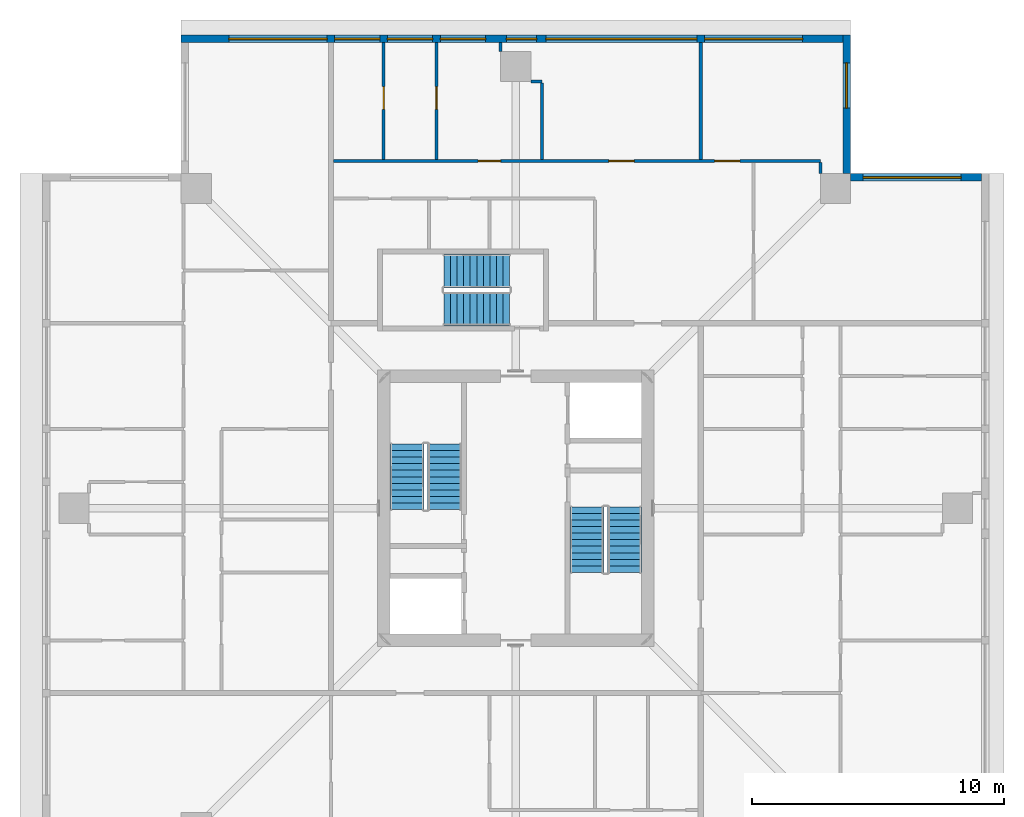
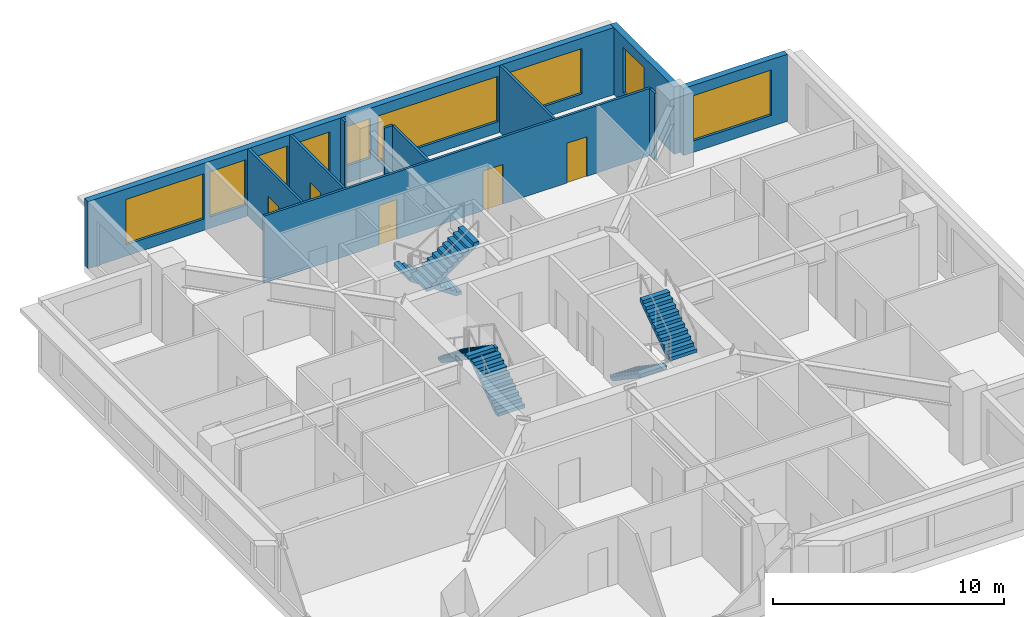
# One storey, part 8 of 11: 11 walls, 9 windows, 6 stair flights, 5 doors, 14 openings, 3 elements without a shape of their own.
"""IFC4 building model written with IfcOpenShell, lengths in metres."""

from ifc_helpers import new_model, si_unit, direction, frame, frame_2d, origin, place, context, subcontext, project, spatial, polyline, rectangle, outline, extrude, material, layer, layer_set, type_object, element, fill, aggregate, save


model = new_model("IFC4")

# Units and contexts
model_context = context("Model", 3, precision=1e-05, world=origin(), true_north=direction((0.0, 1.0)))
body_context = subcontext(model_context, "Body", "Model", "MODEL_VIEW")
ifc_project = project(units=[si_unit("LENGTHUNIT", "METRE"), si_unit("AREAUNIT", "SQUARE_METRE"), si_unit("VOLUMEUNIT", "CUBIC_METRE"), si_unit("PLANEANGLEUNIT", "RADIAN"), si_unit("MASSUNIT", "GRAM", prefix="KILO")], contexts=[model_context])

# Site, building, storey
site_placement = place(None, origin())
site = spatial("IfcSite", under=ifc_project, at=site_placement, CompositionType="ELEMENT")
building_placement = place(site_placement, origin())
building = spatial("IfcBuilding", under=site, at=building_placement, Name="Khepri Terraces", CompositionType="ELEMENT")
storey_placement = place(building_placement, frame((0.0, 0.0, 308.39990234375)))
storey = spatial("IfcBuildingStorey", under=building, at=storey_placement, Name="L74", CompositionType="ELEMENT", Elevation=308.39990234375)

# Wall, opening, window
ifc_material_1 = material(Name="Precast concrete C50/60 warm stone", Category="masonry")
ifc_layer_1 = layer(ifc_material_1, 0.300048828125, Name="Precast concrete C50/60 warm stone", Category="masonry")
ifc_layer_set_1 = layer_set([ifc_layer_1], Name="Precast concrete C50/60 warm stone")
wall_type_1 = type_object("IfcWallType", Name="WL-EXT-PRECAST-300", PredefinedType="STANDARD", material=ifc_layer_set_1)
wall_1_placement = place(storey_placement, frame((18.5, 13.14990234375, 0.0), z_axis=(0.0, 0.0, 1.0), x_axis=(-1.0, 0.0, 0.0)))
wall_1 = element("IfcWall", 1, at=wall_1_placement, inside=storey, type_object=wall_type_1, Name="External wall L74 N", PredefinedType="STANDARD", context=body_context, shape_type="SweptSolid", body=[
    extrude(rectangle(XDim=5.199951171875, YDim=0.300048828125, at=frame_2d((2.60009765625, 0.0))), origin(), (0.0, 0.0, 1.0), 3.550048828125),
])
opening_1_placement = place(wall_1_placement, frame((0.800048828125, 0.0, 0.60009765625)))
opening_1 = element("IfcOpeningElement", 2, at=opening_1_placement, cuts=wall_1, Name="Opening WC2", PredefinedType="OPENING", context=body_context, shape_type="SweptSolid", body=[
    extrude(rectangle(XDim=3.89990234375, YDim=2.39990234375, at=frame_2d((1.949951171875, 1.199951171875))), frame((0.0, 0.16015625, 0.0), z_axis=(0.0, -1.0, 0.0), x_axis=(1.0, 0.0, 0.0)), (0.0, 0.0, 1.0), 0.320068359375),
])
ifc_material_2 = material(Name="Clear glass", Category="glass")
window_type_1 = type_object("IfcWindowType", Name="WIN-CRN-3900x2400", PartitioningType="SINGLE_PANEL", PredefinedType="WINDOW", material=ifc_material_2)
window_1_placement = place(opening_1_placement, origin())
window_1 = element("IfcWindow", 3, at=window_1_placement, inside=storey, type_object=window_type_1, Name="Window L74 N", OverallHeight=2.39990234375, OverallWidth=3.89990234375, PartitioningType="SINGLE_PANEL", PredefinedType="WINDOW", context=body_context, shape_type="SweptSolid", body=[
    extrude(rectangle(XDim=3.89990234375, YDim=2.39990234375, at=frame_2d((1.949951171875, 1.199951171875))), frame((0.0, 0.030029296875, 0.0), z_axis=(0.0, -1.0, 0.0), x_axis=(1.0, 0.0, 0.0)), (0.0, 0.0, 1.0), 0.06005859375),
])
fill(opening_1, window_1)

wall_2_placement = place(storey_placement, frame((13.14990234375, 13.300048828125, 0.0), z_axis=(0.0, 0.0, 1.0), x_axis=(0.0, 1.0, 0.0)))
wall_2 = element("IfcWall", 4, at=wall_2_placement, inside=storey, type_object=wall_type_1, Name="External wall L74 E", PredefinedType="STANDARD", context=body_context, shape_type="SweptSolid", body=[
    extrude(rectangle(XDim=5.5, YDim=0.300048828125, at=frame_2d((2.75, 0.0))), origin(), (0.0, 0.0, 1.0), 3.550048828125),
])
opening_2_placement = place(wall_2_placement, frame((2.60009765625, 0.0, 0.60009765625)))
opening_2 = element("IfcOpeningElement", 5, at=opening_2_placement, cuts=wall_2, Name="Opening WC1", PredefinedType="OPENING", context=body_context, shape_type="SweptSolid", body=[
    extrude(rectangle(XDim=1.800048828125, YDim=2.39990234375, at=frame_2d((0.89990234375, 1.199951171875))), frame((0.0, 0.16015625, 0.0), z_axis=(0.0, -1.0, 0.0), x_axis=(1.0, 0.0, 0.0)), (0.0, 0.0, 1.0), 0.320068359375),
])
window_type_2 = type_object("IfcWindowType", Name="WIN-CRN-1800x2400", PartitioningType="SINGLE_PANEL", PredefinedType="WINDOW", material=ifc_material_2)
window_2_placement = place(opening_2_placement, origin())
window_2 = element("IfcWindow", 6, at=window_2_placement, inside=storey, type_object=window_type_2, Name="Window L74 E", OverallHeight=2.39990234375, OverallWidth=1.800048828125, PartitioningType="SINGLE_PANEL", PredefinedType="WINDOW", context=body_context, shape_type="SweptSolid", body=[
    extrude(rectangle(XDim=1.800048828125, YDim=2.39990234375, at=frame_2d((0.89990234375, 1.199951171875))), frame((0.0, 0.030029296875, 0.0), z_axis=(0.0, -1.0, 0.0), x_axis=(1.0, 0.0, 0.0)), (0.0, 0.0, 1.0), 0.06005859375),
])
fill(opening_2, window_2)

# Wall, openings, windows
wall_3_placement = place(storey_placement, frame((13.0, 18.64990234375, 0.0), z_axis=(0.0, 0.0, 1.0), x_axis=(-1.0, 0.0, 0.0)))
wall_3 = element("IfcWall", 7, at=wall_3_placement, inside=storey, type_object=wall_type_1, Name="External wall L74 N", PredefinedType="STANDARD", context=body_context, shape_type="SweptSolid", body=[
    extrude(rectangle(XDim=26.300048828125, YDim=0.300048828125, at=frame_2d((13.14990234375, 0.0))), origin(), (0.0, 0.0, 1.0), 3.550048828125),
])
opening_3_placement = place(wall_3_placement, frame((1.60009765625, 0.0, 0.60009765625)))
opening_3 = element("IfcOpeningElement", 8, at=opening_3_placement, cuts=wall_3, Name="Opening WC2", PredefinedType="OPENING", context=body_context, shape_type="SweptSolid", body=[
    extrude(rectangle(XDim=3.89990234375, YDim=2.39990234375, at=frame_2d((1.949951171875, 1.199951171875))), frame((0.0, 0.16015625, 0.0), z_axis=(0.0, -1.0, 0.0), x_axis=(1.0, 0.0, 0.0)), (0.0, 0.0, 1.0), 0.320068359375),
])
opening_4_placement = place(wall_3_placement, frame((5.800048828125, 0.0, 0.60009765625)))
opening_4 = element("IfcOpeningElement", 9, at=opening_4_placement, cuts=wall_3, Name="Opening WC3", PredefinedType="OPENING", context=body_context, shape_type="SweptSolid", body=[
    extrude(rectangle(XDim=6.0, YDim=2.39990234375, at=frame_2d((3.0, 1.199951171875))), frame((0.0, 0.16015625, 0.0), z_axis=(0.0, -1.0, 0.0), x_axis=(1.0, 0.0, 0.0)), (0.0, 0.0, 1.0), 0.320068359375),
])
opening_5_placement = place(wall_3_placement, frame((14.199951171875, 0.0, 0.60009765625)))
opening_5 = element("IfcOpeningElement", 10, at=opening_5_placement, cuts=wall_3, Name="Opening WC1", PredefinedType="OPENING", context=body_context, shape_type="SweptSolid", body=[
    extrude(rectangle(XDim=1.800048828125, YDim=2.39990234375, at=frame_2d((0.89990234375, 1.199951171875))), frame((0.0, 0.16015625, 0.0), z_axis=(0.0, -1.0, 0.0), x_axis=(1.0, 0.0, 0.0)), (0.0, 0.0, 1.0), 0.320068359375),
])
opening_6_placement = place(wall_3_placement, frame((16.300048828125, 0.0, 0.60009765625)))
opening_6 = element("IfcOpeningElement", 11, at=opening_6_placement, cuts=wall_3, Name="Opening WC1", PredefinedType="OPENING", context=body_context, shape_type="SweptSolid", body=[
    extrude(rectangle(XDim=1.800048828125, YDim=2.39990234375, at=frame_2d((0.89990234375, 1.199951171875))), frame((0.0, 0.16015625, 0.0), z_axis=(0.0, -1.0, 0.0), x_axis=(1.0, 0.0, 0.0)), (0.0, 0.0, 1.0), 0.320068359375),
])
opening_7_placement = place(wall_3_placement, frame((18.39990234375, 0.0, 0.60009765625)))
opening_7 = element("IfcOpeningElement", 12, at=opening_7_placement, cuts=wall_3, Name="Opening WC1", PredefinedType="OPENING", context=body_context, shape_type="SweptSolid", body=[
    extrude(rectangle(XDim=1.800048828125, YDim=2.39990234375, at=frame_2d((0.89990234375, 1.199951171875))), frame((0.0, 0.16015625, 0.0), z_axis=(0.0, -1.0, 0.0), x_axis=(1.0, 0.0, 0.0)), (0.0, 0.0, 1.0), 0.320068359375),
])
opening_8_placement = place(wall_3_placement, frame((20.5, 0.0, 0.60009765625)))
opening_8 = element("IfcOpeningElement", 13, at=opening_8_placement, cuts=wall_3, Name="Opening WC2", PredefinedType="OPENING", context=body_context, shape_type="SweptSolid", body=[
    extrude(rectangle(XDim=3.89990234375, YDim=2.39990234375, at=frame_2d((1.949951171875, 1.199951171875))), frame((0.0, 0.16015625, 0.0), z_axis=(0.0, -1.0, 0.0), x_axis=(1.0, 0.0, 0.0)), (0.0, 0.0, 1.0), 0.320068359375),
])
opening_9_placement = place(wall_3_placement, frame((12.175048828125, 0.0, 0.89990234375)))
opening_9 = element("IfcOpeningElement", 14, at=opening_9_placement, cuts=wall_3, Name="Opening W4", PredefinedType="OPENING", context=body_context, shape_type="SweptSolid", body=[
    extrude(rectangle(XDim=1.199951171875, YDim=2.10009765625, at=frame_2d((0.60009765625, 1.050048828125))), frame((0.0, 0.16015625, 0.0), z_axis=(0.0, -1.0, 0.0), x_axis=(1.0, 0.0, 0.0)), (0.0, 0.0, 1.0), 0.320068359375),
])
window_3_placement = place(opening_5_placement, origin())
window_3 = element("IfcWindow", 15, at=window_3_placement, inside=storey, type_object=window_type_2, Name="Window L74 N", OverallHeight=2.39990234375, OverallWidth=1.800048828125, PartitioningType="SINGLE_PANEL", PredefinedType="WINDOW", context=body_context, shape_type="SweptSolid", body=[
    extrude(rectangle(XDim=1.800048828125, YDim=2.39990234375, at=frame_2d((0.89990234375, 1.199951171875))), frame((0.0, 0.030029296875, 0.0), z_axis=(0.0, -1.0, 0.0), x_axis=(1.0, 0.0, 0.0)), (0.0, 0.0, 1.0), 0.06005859375),
])
fill(opening_5, window_3)
window_4_placement = place(opening_6_placement, origin())
window_4 = element("IfcWindow", 16, at=window_4_placement, inside=storey, type_object=window_type_2, Name="Window L74 N", OverallHeight=2.39990234375, OverallWidth=1.800048828125, PartitioningType="SINGLE_PANEL", PredefinedType="WINDOW", context=body_context, shape_type="SweptSolid", body=[
    extrude(rectangle(XDim=1.800048828125, YDim=2.39990234375, at=frame_2d((0.89990234375, 1.199951171875))), frame((0.0, 0.030029296875, 0.0), z_axis=(0.0, -1.0, 0.0), x_axis=(1.0, 0.0, 0.0)), (0.0, 0.0, 1.0), 0.06005859375),
])
fill(opening_6, window_4)
window_5_placement = place(opening_7_placement, origin())
window_5 = element("IfcWindow", 17, at=window_5_placement, inside=storey, type_object=window_type_2, Name="Window L74 N", OverallHeight=2.39990234375, OverallWidth=1.800048828125, PartitioningType="SINGLE_PANEL", PredefinedType="WINDOW", context=body_context, shape_type="SweptSolid", body=[
    extrude(rectangle(XDim=1.800048828125, YDim=2.39990234375, at=frame_2d((0.89990234375, 1.199951171875))), frame((0.0, 0.030029296875, 0.0), z_axis=(0.0, -1.0, 0.0), x_axis=(1.0, 0.0, 0.0)), (0.0, 0.0, 1.0), 0.06005859375),
])
fill(opening_7, window_5)
window_6_placement = place(opening_3_placement, origin())
window_6 = element("IfcWindow", 18, at=window_6_placement, inside=storey, type_object=window_type_1, Name="Window L74 N", OverallHeight=2.39990234375, OverallWidth=3.89990234375, PartitioningType="SINGLE_PANEL", PredefinedType="WINDOW", context=body_context, shape_type="SweptSolid", body=[
    extrude(rectangle(XDim=3.89990234375, YDim=2.39990234375, at=frame_2d((1.949951171875, 1.199951171875))), frame((0.0, 0.030029296875, 0.0), z_axis=(0.0, -1.0, 0.0), x_axis=(1.0, 0.0, 0.0)), (0.0, 0.0, 1.0), 0.06005859375),
])
fill(opening_3, window_6)
window_7_placement = place(opening_8_placement, origin())
window_7 = element("IfcWindow", 19, at=window_7_placement, inside=storey, type_object=window_type_1, Name="Window L74 N", OverallHeight=2.39990234375, OverallWidth=3.89990234375, PartitioningType="SINGLE_PANEL", PredefinedType="WINDOW", context=body_context, shape_type="SweptSolid", body=[
    extrude(rectangle(XDim=3.89990234375, YDim=2.39990234375, at=frame_2d((1.949951171875, 1.199951171875))), frame((0.0, 0.030029296875, 0.0), z_axis=(0.0, -1.0, 0.0), x_axis=(1.0, 0.0, 0.0)), (0.0, 0.0, 1.0), 0.06005859375),
])
fill(opening_8, window_7)
window_type_3 = type_object("IfcWindowType", Name="WIN-CRN-6000x2400", PartitioningType="SINGLE_PANEL", PredefinedType="WINDOW", material=ifc_material_2)
window_8_placement = place(opening_4_placement, origin())
window_8 = element("IfcWindow", 20, at=window_8_placement, inside=storey, type_object=window_type_3, Name="Window L74 N", OverallHeight=2.39990234375, OverallWidth=6.0, PartitioningType="SINGLE_PANEL", PredefinedType="WINDOW", context=body_context, shape_type="SweptSolid", body=[
    extrude(rectangle(XDim=6.0, YDim=2.39990234375, at=frame_2d((3.0, 1.199951171875))), frame((0.0, 0.030029296875, 0.0), z_axis=(0.0, -1.0, 0.0), x_axis=(1.0, 0.0, 0.0)), (0.0, 0.0, 1.0), 0.06005859375),
])
fill(opening_4, window_8)
window_type_4 = type_object("IfcWindowType", Name="WIN-RES-1200x2100", PartitioningType="SINGLE_PANEL", PredefinedType="WINDOW", material=ifc_material_2)
window_9_placement = place(opening_9_placement, origin())
window_9 = element("IfcWindow", 21, at=window_9_placement, inside=storey, type_object=window_type_4, Name="Window L74 N", OverallHeight=2.10009765625, OverallWidth=1.199951171875, PartitioningType="SINGLE_PANEL", PredefinedType="WINDOW", context=body_context, shape_type="SweptSolid", body=[
    extrude(rectangle(XDim=1.199951171875, YDim=2.10009765625, at=frame_2d((0.60009765625, 1.050048828125))), frame((0.0, 0.030029296875, 0.0), z_axis=(0.0, -1.0, 0.0), x_axis=(1.0, 0.0, 0.0)), (0.0, 0.0, 1.0), 0.06005859375),
])
fill(opening_9, window_9)

# Wall
ifc_material_3 = material(Name="Gypsum plasterboard partition")
ifc_layer_2 = layer(ifc_material_3, 0.1201171875, Name="Gypsum plasterboard partition")
ifc_layer_set_2 = layer_set([ifc_layer_2], Name="Gypsum plasterboard partition")
wall_type_2 = type_object("IfcWallType", Name="WL-PART-120", PredefinedType="PARTITIONING", material=ifc_layer_set_2)
wall_4_placement = place(storey_placement, frame((12.09912109375, 13.300048828125, 0.0), z_axis=(0.0, 0.0, 1.0), x_axis=(0.0, 1.0, 0.0)))
element("IfcWall", 22, at=wall_4_placement, inside=storey, type_object=wall_type_2, Name="Partition P-065 L74", PredefinedType="PARTITIONING", context=body_context, shape_type="SweptSolid", body=[
    extrude(rectangle(XDim=0.43994140625, YDim=0.1201171875, at=frame_2d((0.219970703125, 0.0))), origin(), (0.0, 0.0, 1.0), 3.550048828125),
])

# Wall, openings, doors
wall_5_placement = place(storey_placement, frame((-7.25, 13.800048828125, 0.0), z_axis=(0.0, 0.0, 1.0), x_axis=(1.0, 0.0, 0.0)))
wall_5 = element("IfcWall", 23, at=wall_5_placement, inside=storey, type_object=wall_type_2, Name="Partition P-066 L74", PredefinedType="PARTITIONING", context=body_context, shape_type="SweptSolid", body=[
    extrude(rectangle(XDim=19.34912109375, YDim=0.1201171875, at=frame_2d((9.674560546875, 0.0))), origin(), (0.0, 0.0, 1.0), 3.550048828125),
])
opening_10_placement = place(wall_5_placement, frame((15.14990234375, 0.0, 0.0)))
opening_10 = element("IfcOpeningElement", 24, at=opening_10_placement, cuts=wall_5, Name="Opening D2", PredefinedType="OPENING", context=body_context, shape_type="SweptSolid", body=[
    extrude(rectangle(XDim=1.0, YDim=2.10009765625, at=frame_2d((0.5, 1.050048828125))), frame((0.0, 0.070068359375, 0.0), z_axis=(0.0, -1.0, 0.0), x_axis=(1.0, 0.0, 0.0)), (0.0, 0.0, 1.0), 0.14013671875),
])
opening_11_placement = place(wall_5_placement, frame((10.949951171875, 0.0, 0.0)))
opening_11 = element("IfcOpeningElement", 25, at=opening_11_placement, cuts=wall_5, Name="Opening D2", PredefinedType="OPENING", context=body_context, shape_type="SweptSolid", body=[
    extrude(rectangle(XDim=1.0, YDim=2.10009765625, at=frame_2d((0.5, 1.050048828125))), frame((0.0, 0.070068359375, 0.0), z_axis=(0.0, -1.0, 0.0), x_axis=(1.0, 0.0, 0.0)), (0.0, 0.0, 1.0), 0.14013671875),
])
opening_12_placement = place(wall_5_placement, frame((5.75, 0.0, 0.0)))
opening_12 = element("IfcOpeningElement", 26, at=opening_12_placement, cuts=wall_5, Name="Opening D3", PredefinedType="OPENING", context=body_context, shape_type="SweptSolid", body=[
    extrude(rectangle(XDim=0.89990234375, YDim=2.10009765625, at=frame_2d((0.449951171875, 1.050048828125))), frame((0.0, 0.070068359375, 0.0), z_axis=(0.0, -1.0, 0.0), x_axis=(1.0, 0.0, 0.0)), (0.0, 0.0, 1.0), 0.14013671875),
])
ifc_material_4 = material(Name="Timber door leaf, living room door", Category="wood")
door_type_1 = type_object("IfcDoorType", Name="DR-INT-1000", OperationType="NOTDEFINED", PredefinedType="DOOR", material=ifc_material_4)
door_1_placement = place(opening_10_placement, origin())
door_1 = element("IfcDoor", 27, at=door_1_placement, inside=storey, type_object=door_type_1, Name="Door Living Room", OperationType="SINGLE_SWING_RIGHT", OverallHeight=2.10009765625, OverallWidth=1.0, PredefinedType="DOOR", context=body_context, shape_type="SweptSolid", body=[
    extrude(rectangle(XDim=1.0, YDim=2.10009765625, at=frame_2d((0.5, 1.050048828125))), frame((0.0, 0.02490234375, 0.0), z_axis=(0.0, -1.0, 0.0), x_axis=(1.0, 0.0, 0.0)), (0.0, 0.0, 1.0), 0.050048828125),
])
fill(opening_10, door_1)
door_2_placement = place(opening_11_placement, origin())
door_2 = element("IfcDoor", 28, at=door_2_placement, inside=storey, type_object=door_type_1, Name="Door Dining Room", OperationType="SINGLE_SWING_RIGHT", OverallHeight=2.10009765625, OverallWidth=1.0, PredefinedType="DOOR", context=body_context, shape_type="SweptSolid", body=[
    extrude(rectangle(XDim=1.0, YDim=2.10009765625, at=frame_2d((0.5, 1.050048828125))), frame((0.0, 0.02490234375, 0.0), z_axis=(0.0, -1.0, 0.0), x_axis=(1.0, 0.0, 0.0)), (0.0, 0.0, 1.0), 0.050048828125),
])
fill(opening_11, door_2)
ifc_material_5 = material(Name="Timber door leaf", Category="wood")
door_type_2 = type_object("IfcDoorType", Name="DR-INT-900", OperationType="NOTDEFINED", PredefinedType="DOOR", material=ifc_material_5)
door_3_placement = place(opening_12_placement, origin())
door_3 = element("IfcDoor", 29, at=door_3_placement, inside=storey, type_object=door_type_2, Name="Door Master Bedroom", OperationType="SINGLE_SWING_LEFT", OverallHeight=2.10009765625, OverallWidth=0.89990234375, PredefinedType="DOOR", context=body_context, shape_type="SweptSolid", body=[
    extrude(rectangle(XDim=0.89990234375, YDim=2.10009765625, at=frame_2d((0.449951171875, 1.050048828125))), frame((0.0, 0.02490234375, 0.0), z_axis=(0.0, -1.0, 0.0), x_axis=(1.0, 0.0, 0.0)), (0.0, 0.0, 1.0), 0.050048828125),
])
fill(opening_12, door_3)

# Wall, opening, door
wall_6_placement = place(storey_placement, frame((-5.25, 13.860107421875, 0.0), z_axis=(0.0, 0.0, 1.0), x_axis=(0.0, 1.0, 0.0)))
wall_6 = element("IfcWall", 30, at=wall_6_placement, inside=storey, type_object=wall_type_2, Name="Partition P-067 L74", PredefinedType="PARTITIONING", context=body_context, shape_type="SweptSolid", body=[
    extrude(rectangle(XDim=4.639892578125, YDim=0.1201171875, at=frame_2d((2.31982421875, 0.0))), origin(), (0.0, 0.0, 1.0), 3.550048828125),
])
opening_13_placement = place(wall_6_placement, frame((1.989990234375, 0.0, 0.0)))
opening_13 = element("IfcOpeningElement", 31, at=opening_13_placement, cuts=wall_6, Name="Opening D4", PredefinedType="OPENING", context=body_context, shape_type="SweptSolid", body=[
    extrude(rectangle(XDim=0.89990234375, YDim=2.10009765625, at=frame_2d((0.449951171875, 1.050048828125))), frame((0.0, 0.070068359375, 0.0), z_axis=(0.0, -1.0, 0.0), x_axis=(1.0, 0.0, 0.0)), (0.0, 0.0, 1.0), 0.14013671875),
])
ifc_material_6 = material(Name="Timber door leaf, moisture resistant", Category="wood")
door_type_3 = type_object("IfcDoorType", Name="DR-WET-900", OperationType="NOTDEFINED", PredefinedType="DOOR", material=ifc_material_6)
door_4_placement = place(opening_13_placement, origin())
door_4 = element("IfcDoor", 32, at=door_4_placement, inside=storey, type_object=door_type_3, Name="Door Bathroom", OperationType="SINGLE_SWING_RIGHT", OverallHeight=2.10009765625, OverallWidth=0.89990234375, PredefinedType="DOOR", context=body_context, shape_type="SweptSolid", body=[
    extrude(rectangle(XDim=0.89990234375, YDim=2.10009765625, at=frame_2d((0.449951171875, 1.050048828125))), frame((0.0, 0.02490234375, 0.0), z_axis=(0.0, -1.0, 0.0), x_axis=(1.0, 0.0, 0.0)), (0.0, 0.0, 1.0), 0.050048828125),
])
fill(opening_13, door_4)

wall_7_placement = place(storey_placement, frame((-3.14990234375, 13.860107421875, 0.0), z_axis=(0.0, 0.0, 1.0), x_axis=(0.0, 1.0, 0.0)))
wall_7 = element("IfcWall", 33, at=wall_7_placement, inside=storey, type_object=wall_type_2, Name="Partition P-068 L74", PredefinedType="PARTITIONING", context=body_context, shape_type="SweptSolid", body=[
    extrude(rectangle(XDim=4.639892578125, YDim=0.1201171875, at=frame_2d((2.31982421875, 0.0))), origin(), (0.0, 0.0, 1.0), 3.550048828125),
])
opening_14_placement = place(wall_7_placement, frame((1.989990234375, 0.0, 0.0)))
opening_14 = element("IfcOpeningElement", 34, at=opening_14_placement, cuts=wall_7, Name="Opening D3", PredefinedType="OPENING", context=body_context, shape_type="SweptSolid", body=[
    extrude(rectangle(XDim=0.89990234375, YDim=2.10009765625, at=frame_2d((0.449951171875, 1.050048828125))), frame((0.0, 0.070068359375, 0.0), z_axis=(0.0, -1.0, 0.0), x_axis=(1.0, 0.0, 0.0)), (0.0, 0.0, 1.0), 0.14013671875),
])
door_5_placement = place(opening_14_placement, origin())
door_5 = element("IfcDoor", 35, at=door_5_placement, inside=storey, type_object=door_type_2, Name="Door Dressing Room", OperationType="SINGLE_SWING_RIGHT", OverallHeight=2.10009765625, OverallWidth=0.89990234375, PredefinedType="DOOR", context=body_context, shape_type="SweptSolid", body=[
    extrude(rectangle(XDim=0.89990234375, YDim=2.10009765625, at=frame_2d((0.449951171875, 1.050048828125))), frame((0.0, 0.02490234375, 0.0), z_axis=(0.0, -1.0, 0.0), x_axis=(1.0, 0.0, 0.0)), (0.0, 0.0, 1.0), 0.050048828125),
])
fill(opening_14, door_5)

# Walls
wall_8_placement = place(storey_placement, frame((1.050048828125, 13.860107421875, 0.0), z_axis=(0.0, 0.0, 1.0), x_axis=(0.0, 1.0, 0.0)))
element("IfcWall", 36, at=wall_8_placement, inside=storey, type_object=wall_type_2, Name="Partition P-069 L74", PredefinedType="PARTITIONING", context=body_context, shape_type="SweptSolid", body=[
    extrude(rectangle(XDim=3.02880859375, YDim=0.1201171875, at=frame_2d((1.514404296875, 0.0))), origin(), (0.0, 0.0, 1.0), 3.550048828125),
])
wall_9_placement = place(storey_placement, frame((7.35009765625, 13.860107421875, 0.0), z_axis=(0.0, 0.0, 1.0), x_axis=(0.0, 1.0, 0.0)))
element("IfcWall", 37, at=wall_9_placement, inside=storey, type_object=wall_type_2, Name="Partition P-070 L74", PredefinedType="PARTITIONING", context=body_context, shape_type="SweptSolid", body=[
    extrude(rectangle(XDim=4.639892578125, YDim=0.1201171875, at=frame_2d((2.31982421875, 0.0))), origin(), (0.0, 0.0, 1.0), 3.550048828125),
])
wall_10_placement = place(storey_placement, frame((0.60009765625, 16.948974609375, 0.0), z_axis=(0.0, 0.0, 1.0), x_axis=(1.0, 0.0, 0.0)))
element("IfcWall", 38, at=wall_10_placement, inside=storey, type_object=wall_type_2, Name="Partition P-071 L74", PredefinedType="PARTITIONING", context=body_context, shape_type="SweptSolid", body=[
    extrude(rectangle(XDim=0.449951171875, YDim=0.1201171875, at=frame_2d((0.22509765625, 0.0))), origin(), (0.0, 0.0, 1.0), 3.550048828125),
])
wall_11_placement = place(storey_placement, frame((-0.60107421875, 18.14990234375, 0.0), z_axis=(0.0, 0.0, 1.0), x_axis=(0.0, 1.0, 0.0)))
element("IfcWall", 39, at=wall_11_placement, inside=storey, type_object=wall_type_2, Name="Partition P-072 L74", PredefinedType="PARTITIONING", context=body_context, shape_type="SweptSolid", body=[
    extrude(rectangle(XDim=0.35009765625, YDim=0.1201171875, at=frame_2d((0.175048828125, 0.0))), origin(), (0.0, 0.0, 1.0), 3.550048828125),
])

# Stair, stair flights
ifc_material_7 = material(Name="Concrete C40/50", Category="concrete")
stair_type = type_object("IfcStairType", Name="STAIR-RC-22R", PredefinedType="HALF_TURN_STAIR", material=ifc_material_7)
stair_1_placement = place(storey_placement, origin())
stair_1 = element("IfcStair", 40, at=stair_1_placement, inside=storey, type_object=stair_type, Name="L74 Exit Stair ST-1", PredefinedType="HALF_TURN_STAIR")
stair_flight_type = type_object("IfcStairFlightType", Name="SFL-RC-177.3", PredefinedType="STRAIGHT", material=ifc_material_7)
stair_flight_1_placement = place(storey_placement, frame((-2.824951171875, -0.050048828125, 0.0), z_axis=(0.0, 0.0, 1.0), x_axis=(0.0, 1.0, 0.0)))
stair_flight_1 = element("IfcStairFlight", 41, at=stair_flight_1_placement, type_object=stair_flight_type, Name="ST-1 flight 1", NumberOfRisers=11, NumberOfTreads=10, PredefinedType="STRAIGHT", RiserHeight=0.177272727, TreadLength=0.26, context=body_context, shape_type="SweptSolid", body=[
    extrude(outline(polyline([(0.0, 0.0), (0.0, 0.17724609375), (0.260009765625, 0.17724609375), (0.260009765625, 0.3544921875), (0.52001953125, 0.3544921875), (0.52001953125, 0.53173828125), (0.780029296875, 0.53173828125), (0.780029296875, 0.708984375), (1.0400390625, 0.708984375), (1.0400390625, 0.886474609375), (1.300048828125, 0.886474609375), (1.300048828125, 1.063720703125), (1.56005859375, 1.063720703125), (1.56005859375, 1.240966796875), (1.820068359375, 1.240966796875), (1.820068359375, 1.418212890625), (2.080078125, 1.418212890625), (2.080078125, 1.595458984375), (2.340087890625, 1.595458984375), (2.340087890625, 1.772705078125), (2.60009765625, 1.772705078125), (2.60009765625, 1.949951171875), (2.60009765625, 1.59130859375), (0.26611328125, 0.0), (0.0, 0.0)])), frame((0.0, 0.675048828125, 0.0), z_axis=(0.0, -1.0, 0.0), x_axis=(1.0, 0.0, 0.0)), (0.0, 0.0, 1.0), 1.35009765625),
])
stair_flight_2_placement = place(storey_placement, frame((-4.324951171875, 2.550048828125, 1.9501953125), z_axis=(0.0, 0.0, 1.0), x_axis=(0.0, -1.0, 0.0)))
stair_flight_2 = element("IfcStairFlight", 42, at=stair_flight_2_placement, type_object=stair_flight_type, Name="ST-1 flight 2", NumberOfRisers=11, NumberOfTreads=10, PredefinedType="STRAIGHT", RiserHeight=0.177272727, TreadLength=0.26, context=body_context, shape_type="SweptSolid", body=[
    extrude(outline(polyline([(0.0, 0.0), (0.0, 0.17724609375), (0.260009765625, 0.17724609375), (0.260009765625, 0.3544921875), (0.52001953125, 0.3544921875), (0.52001953125, 0.53173828125), (0.780029296875, 0.53173828125), (0.780029296875, 0.708984375), (1.0400390625, 0.708984375), (1.0400390625, 0.886474609375), (1.300048828125, 0.886474609375), (1.300048828125, 1.063720703125), (1.56005859375, 1.063720703125), (1.56005859375, 1.240966796875), (1.820068359375, 1.240966796875), (1.820068359375, 1.418212890625), (2.080078125, 1.418212890625), (2.080078125, 1.595458984375), (2.340087890625, 1.595458984375), (2.340087890625, 1.772705078125), (2.60009765625, 1.772705078125), (2.60009765625, 1.949951171875), (2.60009765625, 1.59130859375), (0.26611328125, 0.0), (0.0, 0.0)])), frame((0.0, 0.675048828125, 0.0), z_axis=(0.0, -1.0, 0.0), x_axis=(1.0, 0.0, 0.0)), (0.0, 0.0, 1.0), 1.35009765625),
])
aggregate(stair_1, [stair_flight_1, stair_flight_2])

stair_2_placement = place(storey_placement, origin())
stair_2 = element("IfcStair", 43, at=stair_2_placement, inside=storey, type_object=stair_type, Name="L74 Exit Stair ST-2", PredefinedType="HALF_TURN_STAIR")
stair_flight_3_placement = place(storey_placement, frame((2.824951171875, 0.050048828125, 0.0), z_axis=(0.0, 0.0, 1.0), x_axis=(0.0, -1.0, 0.0)))
stair_flight_3 = element("IfcStairFlight", 44, at=stair_flight_3_placement, type_object=stair_flight_type, Name="ST-2 flight 1", NumberOfRisers=11, NumberOfTreads=10, PredefinedType="STRAIGHT", RiserHeight=0.177272727, TreadLength=0.26, context=body_context, shape_type="SweptSolid", body=[
    extrude(outline(polyline([(0.0, 0.0), (0.0, 0.17724609375), (0.260009765625, 0.17724609375), (0.260009765625, 0.3544921875), (0.52001953125, 0.3544921875), (0.52001953125, 0.53173828125), (0.780029296875, 0.53173828125), (0.780029296875, 0.708984375), (1.0400390625, 0.708984375), (1.0400390625, 0.886474609375), (1.300048828125, 0.886474609375), (1.300048828125, 1.063720703125), (1.56005859375, 1.063720703125), (1.56005859375, 1.240966796875), (1.820068359375, 1.240966796875), (1.820068359375, 1.418212890625), (2.080078125, 1.418212890625), (2.080078125, 1.595458984375), (2.340087890625, 1.595458984375), (2.340087890625, 1.772705078125), (2.60009765625, 1.772705078125), (2.60009765625, 1.949951171875), (2.60009765625, 1.59130859375), (0.26611328125, 0.0), (0.0, 0.0)])), frame((0.0, 0.675048828125, 0.0), z_axis=(0.0, -1.0, 0.0), x_axis=(1.0, 0.0, 0.0)), (0.0, 0.0, 1.0), 1.35009765625),
])
stair_flight_4_placement = place(storey_placement, frame((4.324951171875, -2.550048828125, 1.9501953125), z_axis=(0.0, 0.0, 1.0), x_axis=(0.0, 1.0, 0.0)))
stair_flight_4 = element("IfcStairFlight", 45, at=stair_flight_4_placement, type_object=stair_flight_type, Name="ST-2 flight 2", NumberOfRisers=11, NumberOfTreads=10, PredefinedType="STRAIGHT", RiserHeight=0.177272727, TreadLength=0.26, context=body_context, shape_type="SweptSolid", body=[
    extrude(outline(polyline([(0.0, 0.0), (0.0, 0.17724609375), (0.260009765625, 0.17724609375), (0.260009765625, 0.3544921875), (0.52001953125, 0.3544921875), (0.52001953125, 0.53173828125), (0.780029296875, 0.53173828125), (0.780029296875, 0.708984375), (1.0400390625, 0.708984375), (1.0400390625, 0.886474609375), (1.300048828125, 0.886474609375), (1.300048828125, 1.063720703125), (1.56005859375, 1.063720703125), (1.56005859375, 1.240966796875), (1.820068359375, 1.240966796875), (1.820068359375, 1.418212890625), (2.080078125, 1.418212890625), (2.080078125, 1.595458984375), (2.340087890625, 1.595458984375), (2.340087890625, 1.772705078125), (2.60009765625, 1.772705078125), (2.60009765625, 1.949951171875), (2.60009765625, 1.59130859375), (0.26611328125, 0.0), (0.0, 0.0)])), frame((0.0, 0.675048828125, 0.0), z_axis=(0.0, -1.0, 0.0), x_axis=(1.0, 0.0, 0.0)), (0.0, 0.0, 1.0), 1.35009765625),
])
aggregate(stair_2, [stair_flight_3, stair_flight_4])

stair_3_placement = place(storey_placement, origin())
stair_3 = element("IfcStair", 46, at=stair_3_placement, inside=storey, type_object=stair_type, Name="L74 Exit Stair ST-3", PredefinedType="HALF_TURN_STAIR")
stair_flight_5_placement = place(storey_placement, frame((-0.25, 9.425048828125, 0.0), z_axis=(0.0, 0.0, 1.0), x_axis=(-1.0, 0.0, 0.0)))
stair_flight_5 = element("IfcStairFlight", 47, at=stair_flight_5_placement, type_object=stair_flight_type, Name="ST-3 flight 1", NumberOfRisers=11, NumberOfTreads=10, PredefinedType="STRAIGHT", RiserHeight=0.177272727, TreadLength=0.26, context=body_context, shape_type="SweptSolid", body=[
    extrude(outline(polyline([(0.0, 0.0), (0.0, 0.17724609375), (0.260009765625, 0.17724609375), (0.260009765625, 0.3544921875), (0.52001953125, 0.3544921875), (0.52001953125, 0.53173828125), (0.780029296875, 0.53173828125), (0.780029296875, 0.708984375), (1.0400390625, 0.708984375), (1.0400390625, 0.886474609375), (1.300048828125, 0.886474609375), (1.300048828125, 1.063720703125), (1.56005859375, 1.063720703125), (1.56005859375, 1.240966796875), (1.820068359375, 1.240966796875), (1.820068359375, 1.418212890625), (2.080078125, 1.418212890625), (2.080078125, 1.595458984375), (2.340087890625, 1.595458984375), (2.340087890625, 1.772705078125), (2.60009765625, 1.772705078125), (2.60009765625, 1.949951171875), (2.60009765625, 1.59130859375), (0.26611328125, 0.0), (0.0, 0.0)])), frame((0.0, 0.675048828125, 0.0), z_axis=(0.0, -1.0, 0.0), x_axis=(1.0, 0.0, 0.0)), (0.0, 0.0, 1.0), 1.35009765625),
])
stair_flight_6_placement = place(storey_placement, frame((-2.85009765625, 7.925048828125, 1.9501953125), z_axis=(0.0, 0.0, 1.0), x_axis=(1.0, 0.0, 0.0)))
stair_flight_6 = element("IfcStairFlight", 48, at=stair_flight_6_placement, type_object=stair_flight_type, Name="ST-3 flight 2", NumberOfRisers=11, NumberOfTreads=10, PredefinedType="STRAIGHT", RiserHeight=0.177272727, TreadLength=0.26, context=body_context, shape_type="SweptSolid", body=[
    extrude(outline(polyline([(0.0, 0.0), (0.0, 0.17724609375), (0.260009765625, 0.17724609375), (0.260009765625, 0.3544921875), (0.52001953125, 0.3544921875), (0.52001953125, 0.53173828125), (0.780029296875, 0.53173828125), (0.780029296875, 0.708984375), (1.0400390625, 0.708984375), (1.0400390625, 0.886474609375), (1.300048828125, 0.886474609375), (1.300048828125, 1.063720703125), (1.56005859375, 1.063720703125), (1.56005859375, 1.240966796875), (1.820068359375, 1.240966796875), (1.820068359375, 1.418212890625), (2.080078125, 1.418212890625), (2.080078125, 1.595458984375), (2.340087890625, 1.595458984375), (2.340087890625, 1.772705078125), (2.60009765625, 1.772705078125), (2.60009765625, 1.949951171875), (2.60009765625, 1.59130859375), (0.26611328125, 0.0), (0.0, 0.0)])), frame((0.0, 0.675048828125, 0.0), z_axis=(0.0, -1.0, 0.0), x_axis=(1.0, 0.0, 0.0)), (0.0, 0.0, 1.0), 1.35009765625),
])
aggregate(stair_3, [stair_flight_5, stair_flight_6])

save(model, "model.ifc")
